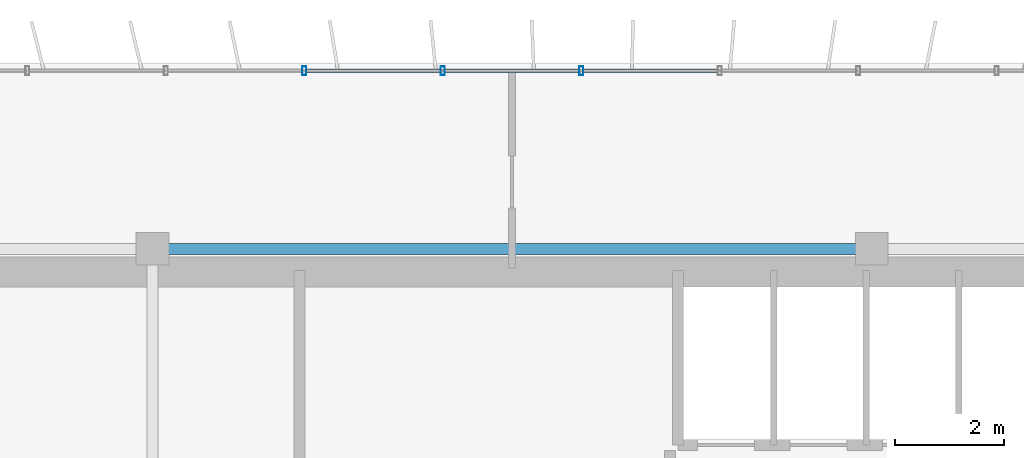
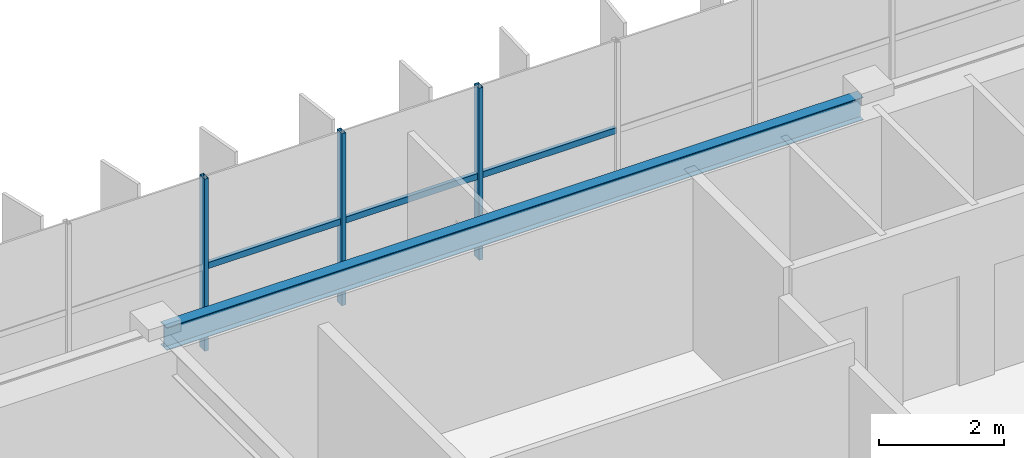
# One storey, part 9 of 22: 6 members, 1 beam, 1 element without a shape of its own.
"""IFC4 building model written with IfcOpenShell, lengths in metres."""

from ifc_helpers import new_model, si_unit, direction, frame, origin, origin_2d, place, context, subcontext, project, spatial, hollow_rectangle, i_section, extrude, source, transform, mapped, material, material_profile, profile_set, type_object, element, aggregate, save


model = new_model("IFC4")

# Units and contexts
model_context = context("Model", 3, precision=1e-05, world=origin(), true_north=direction((0.0, 1.0)))
body_context = subcontext(model_context, "Body", "Model", "MODEL_VIEW")
ifc_project = project(units=[si_unit("LENGTHUNIT", "METRE"), si_unit("AREAUNIT", "SQUARE_METRE"), si_unit("VOLUMEUNIT", "CUBIC_METRE"), si_unit("PLANEANGLEUNIT", "RADIAN"), si_unit("MASSUNIT", "GRAM", prefix="KILO")], contexts=[model_context])

# Site, building, storey
site_placement = place(None, origin())
site = spatial("IfcSite", under=ifc_project, at=site_placement, CompositionType="ELEMENT")
building_placement = place(site_placement, origin())
building = spatial("IfcBuilding", under=site, at=building_placement, Name="Trelvane Seafront Commons", CompositionType="ELEMENT")
storey_placement = place(building_placement, frame((0.0, 0.0, 288.300048828125)))
storey = spatial("IfcBuildingStorey", under=building, at=storey_placement, Name="L75", CompositionType="ELEMENT", Elevation=288.300048828125)

# Beam
ifc_material_1 = material(Name="Steel SM355 (S355)", Category="steel")
ifc_material_profile_1 = material_profile(ifc_material_1, i_section(OverallWidth=0.199951171875, OverallDepth=0.449951171875, WebThickness=0.009033203125, FlangeThickness=0.013916015625, at=origin_2d()), Name="H-450x200x9x14")
ifc_profile_set_1 = profile_set([ifc_material_profile_1], Name="Steel SM355 (S355)")
beam_type = type_object("IfcBeamType", Name="STR-SPD-H450", PredefinedType="SPANDREL", material=ifc_profile_set_1)
shared_shape_1 = source(origin(), body_context, "Body", "SweptSolid", [
    extrude(i_section(OverallWidth=0.199951171875, OverallDepth=0.449951171875, WebThickness=0.009033203125, FlangeThickness=0.013916015625, at=origin_2d()), origin(), (0.0, 0.0, 1.0), 12.89990234375),
])
beam_placement = place(storey_placement, frame((30.75, 45.10009765625, 3.14501953125), z_axis=(1.0, 0.0, 0.0), x_axis=(0.0, 1.0, 0.0)))
element("IfcBeam", 1, at=beam_placement, inside=storey, type_object=beam_type, Name="L75 Primary Girder G-25", PredefinedType="SPANDREL", context=body_context, shape_type="MappedRepresentation", body=[
    mapped(shared_shape_1, transform((0.0, 0.0, 0.0), x_axis=(1.0, 0.0, 0.0), y_axis=(0.0, 1.0, 0.0), z_axis=(0.0, 0.0, 1.0), scale=1.0)),
])

# Curtain wall, members
ifc_material_2 = material(Name="Anodised pale-silver aluminium", Category="aluminium")
curtain_wall_type = type_object("IfcCurtainWallType", Name="ARCH-CW5-UPTOWER", PredefinedType="NOTDEFINED", material=ifc_material_2)
curtain_wall_placement = place(storey_placement, origin())
curtain_wall = element("IfcCurtainWall", 2, at=curtain_wall_placement, inside=storey, type_object=curtain_wall_type, Name="CW-L75-0119", PredefinedType="NOTDEFINED")
ifc_material_profile_2 = material_profile(ifc_material_2, hollow_rectangle(XDim=0.070068359375, YDim=0.1201171875, WallThickness=0.00390625, at=origin_2d()), Name="TRAN-70x120x4")
ifc_profile_set_2 = profile_set([ifc_material_profile_2], Name="Anodised pale-silver aluminium")
member_type_1 = type_object("IfcMemberType", Name="ARCH-CW-TRAN-120", PredefinedType="USERDEFINED", material=ifc_profile_set_2)
shared_shape_2 = source(origin(), body_context, "Body", "SweptSolid", [
    extrude(hollow_rectangle(XDim=0.070068359375, YDim=0.1201171875, WallThickness=0.00390625, at=origin_2d()), origin(), (0.0, 0.0, 1.0), 2.51708984375),
])
member_1_placement = place(storey_placement, frame((35.94140625, 48.3701171875, 1.617919921875), z_axis=(1.0, 0.0, 0.0), x_axis=(0.0, 1.0, 0.0)))
member_1 = element("IfcMember", 3, at=member_1_placement, type_object=member_type_1, Name="CW-L75-0119-T08", ObjectType="TRANSOM", PredefinedType="USERDEFINED", context=body_context, shape_type="MappedRepresentation", body=[
    mapped(shared_shape_2, transform((0.0, 0.0, 0.0), x_axis=(1.0, 0.0, 0.0), y_axis=(0.0, 1.0, 0.0), z_axis=(0.0, 0.0, 1.0), scale=1.0)),
])
member_2_placement = place(storey_placement, frame((38.482666015625, 48.3701171875, 1.617919921875), z_axis=(1.0, 0.0, 0.0), x_axis=(0.0, 1.0, 0.0)))
member_2 = element("IfcMember", 4, at=member_2_placement, type_object=member_type_1, Name="CW-L75-0119-T09", ObjectType="TRANSOM", PredefinedType="USERDEFINED", context=body_context, shape_type="MappedRepresentation", body=[
    mapped(shared_shape_2, transform((0.0, 0.0, 0.0), x_axis=(1.0, 0.0, 0.0), y_axis=(0.0, 1.0, 0.0), z_axis=(0.0, 0.0, 1.0), scale=1.0)),
])
shared_shape_3 = source(origin(), body_context, "Body", "SweptSolid", [
    extrude(hollow_rectangle(XDim=0.070068359375, YDim=0.1201171875, WallThickness=0.00390625, at=origin_2d()), origin(), (0.0, 0.0, 1.0), 2.517333984375),
])
member_3_placement = place(storey_placement, frame((33.400146484375, 48.3701171875, 1.617919921875), z_axis=(1.0, 0.0, 0.0), x_axis=(0.0, 1.0, 0.0)))
member_3 = element("IfcMember", 5, at=member_3_placement, type_object=member_type_1, Name="CW-L75-0119-T07", ObjectType="TRANSOM", PredefinedType="USERDEFINED", context=body_context, shape_type="MappedRepresentation", body=[
    mapped(shared_shape_3, transform((0.0, 0.0, 0.0), x_axis=(1.0, 0.0, 0.0), y_axis=(0.0, 1.0, 0.0), z_axis=(0.0, 0.0, 1.0), scale=1.0)),
])
ifc_material_profile_3 = material_profile(ifc_material_2, hollow_rectangle(XDim=0.074951171875, YDim=0.159912109375, WallThickness=0.00390625, at=origin_2d()), Name="MULL-75x160x4")
ifc_profile_set_3 = profile_set([ifc_material_profile_3], Name="Anodised pale-silver aluminium")
member_type_2 = type_object("IfcMemberType", Name="ARCH-CW-MULL-160", PredefinedType="MULLION", material=ifc_profile_set_3)
shared_shape_4 = source(origin(), body_context, "Body", "SweptSolid", [
    extrude(hollow_rectangle(XDim=0.074951171875, YDim=0.159912109375, WallThickness=0.00390625, at=origin_2d()), origin(), (0.0, 0.0, 1.0), 3.369873046875),
])
member_4_placement = place(storey_placement, frame((33.38818359375, 48.3701171875, 0.0), z_axis=(0.0, 0.0, 1.0), x_axis=(1.0, 0.0, 0.0)))
member_4 = element("IfcMember", 6, at=member_4_placement, type_object=member_type_2, Name="CW-L75-0119-M07", PredefinedType="MULLION", context=body_context, shape_type="MappedRepresentation", body=[
    mapped(shared_shape_4, transform((0.0, 0.0, 0.0), x_axis=(1.0, 0.0, 0.0), y_axis=(0.0, 1.0, 0.0), z_axis=(0.0, 0.0, 1.0), scale=1.0)),
])
member_5_placement = place(storey_placement, frame((35.929443359375, 48.3701171875, 0.0), z_axis=(0.0, 0.0, 1.0), x_axis=(1.0, 0.0, 0.0)))
member_5 = element("IfcMember", 7, at=member_5_placement, type_object=member_type_2, Name="CW-L75-0119-M08", PredefinedType="MULLION", context=body_context, shape_type="MappedRepresentation", body=[
    mapped(shared_shape_4, transform((0.0, 0.0, 0.0), x_axis=(1.0, 0.0, 0.0), y_axis=(0.0, 1.0, 0.0), z_axis=(0.0, 0.0, 1.0), scale=1.0)),
])
member_6_placement = place(storey_placement, frame((38.470703125, 48.3701171875, 0.0), z_axis=(0.0, 0.0, 1.0), x_axis=(1.0, 0.0, 0.0)))
member_6 = element("IfcMember", 8, at=member_6_placement, type_object=member_type_2, Name="CW-L75-0119-M09", PredefinedType="MULLION", context=body_context, shape_type="MappedRepresentation", body=[
    mapped(shared_shape_4, transform((0.0, 0.0, 0.0), x_axis=(1.0, 0.0, 0.0), y_axis=(0.0, 1.0, 0.0), z_axis=(0.0, 0.0, 1.0), scale=1.0)),
])
aggregate(curtain_wall, [member_4, member_5, member_6, member_3, member_1, member_2])

save(model, "model.ifc")
